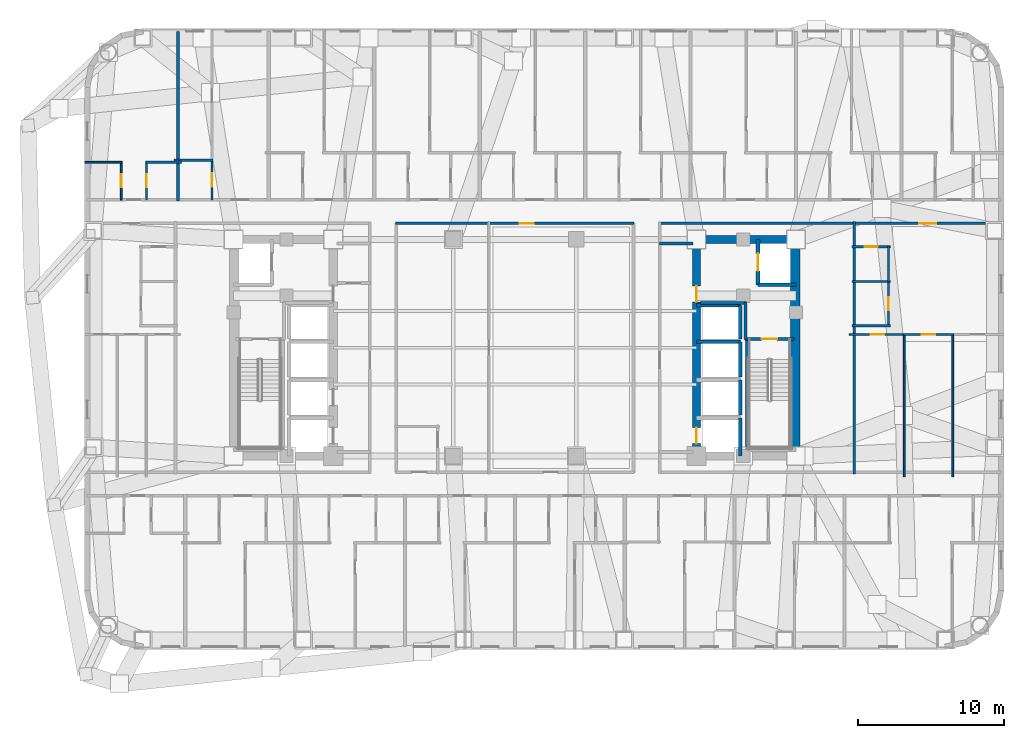
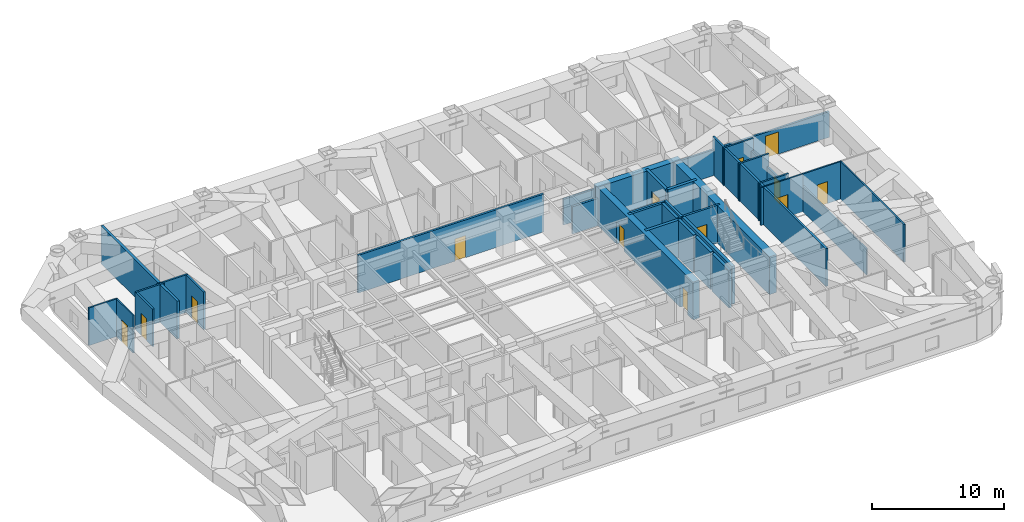
# One storey, part 8 of 14: 35 walls, 13 doors, 13 openings.
"""IFC4 building model written with IfcOpenShell, lengths in metres."""

from ifc_helpers import new_model, si_unit, direction, frame, frame_2d, origin, place, context, subcontext, project, spatial, rectangle, extrude, material, layer, layer_set, type_object, element, fill, save


model = new_model("IFC4")

# Units and contexts
model_context = context("Model", 3, precision=1e-05, world=origin(), true_north=direction((0.0, 1.0)))
body_context = subcontext(model_context, "Body", "Model", "MODEL_VIEW")
ifc_project = project(units=[si_unit("LENGTHUNIT", "METRE"), si_unit("AREAUNIT", "SQUARE_METRE"), si_unit("VOLUMEUNIT", "CUBIC_METRE"), si_unit("PLANEANGLEUNIT", "RADIAN"), si_unit("MASSUNIT", "GRAM", prefix="KILO")], contexts=[model_context])

# Site, building, storey
site_placement = place(None, origin())
site = spatial("IfcSite", under=ifc_project, at=site_placement, CompositionType="ELEMENT")
building_placement = place(site_placement, origin())
building = spatial("IfcBuilding", under=site, at=building_placement, Name="Voryun Gate Residences", CompositionType="ELEMENT")
storey_placement = place(building_placement, frame((0.0, 0.0, 136.5)))
storey = spatial("IfcBuildingStorey", under=building, at=storey_placement, Name="L33", CompositionType="ELEMENT", Elevation=136.5)

# Wall
ifc_material_1 = material(Name="Concrete C60/75", Category="concrete")
ifc_layer_1 = layer(ifc_material_1, 0.550048828125, Name="CW_CORE_550")
ifc_layer_set_1 = layer_set([ifc_layer_1], Name="Concrete C60/75")
wall_type_1 = type_object("IfcWallType", Name="CW_CORE_550", PredefinedType="SHEAR", material=ifc_layer_set_1)
wall_1_placement = place(storey_placement, frame((12.125, 7.39990234375, 0.0), z_axis=(0.0, 0.0, 1.0), x_axis=(1.0, 0.0, 0.0)))
element("IfcWall", 1, at=wall_1_placement, inside=storey, type_object=wall_type_1, Name="L33 Core shear wall CW-L33-EN", PredefinedType="SHEAR", context=body_context, shape_type="SweptSolid", body=[
    extrude(rectangle(XDim=7.35009765625, YDim=0.550048828125, at=frame_2d((3.675048828125, 0.0))), origin(), (0.0, 0.0, 1.0), 3.5),
])

# Wall, openings, doors
wall_2_placement = place(storey_placement, frame((12.39990234375, -7.39990234375, 0.0), z_axis=(0.0, 0.0, 1.0), x_axis=(0.0, 1.0, 0.0)))
wall_2 = element("IfcWall", 2, at=wall_2_placement, inside=storey, type_object=wall_type_1, Name="L33 Core shear wall CW-L33-EW", PredefinedType="SHEAR", context=body_context, shape_type="SweptSolid", body=[
    extrude(rectangle(XDim=14.7998046875, YDim=0.550048828125, at=frame_2d((7.39990234375, 0.0))), origin(), (0.0, 0.0, 1.0), 3.5),
])
opening_1_placement = place(wall_2_placement, frame((0.85009765625, 0.0, 0.0)))
opening_1 = element("IfcOpeningElement", 3, at=opening_1_placement, cuts=wall_2, Name="Opening LD2", PredefinedType="OPENING", context=body_context, shape_type="SweptSolid", body=[
    extrude(rectangle(XDim=1.10009765625, YDim=2.050048828125, at=frame_2d((0.550048828125, 1.02490234375))), frame((0.0, 0.284912109375, 0.0), z_axis=(0.0, -1.0, 0.0), x_axis=(1.0, 0.0, 0.0)), (0.0, 0.0, 1.0), 0.570068359375),
])
opening_2_placement = place(wall_2_placement, frame((10.530029296875, 0.0, 0.0)))
opening_2 = element("IfcOpeningElement", 4, at=opening_2_placement, cuts=wall_2, Name="Opening D-FD60-2", PredefinedType="OPENING", context=body_context, shape_type="SweptSolid", body=[
    extrude(rectangle(XDim=1.10009765625, YDim=2.050048828125, at=frame_2d((0.550048828125, 1.02490234375))), frame((0.0, 0.284912109375, 0.0), z_axis=(0.0, -1.0, 0.0), x_axis=(1.0, 0.0, 0.0)), (0.0, 0.0, 1.0), 0.570068359375),
])
ifc_material_2 = material(Name="Painted steel fire door", Category="steel")
door_type_1 = type_object("IfcDoorType", Name="DR_FD60_FFLOB_1100", OperationType="NOTDEFINED", PredefinedType="DOOR", material=ifc_material_2)
door_1_placement = place(opening_2_placement, origin())
door_1 = element("IfcDoor", 5, at=door_1_placement, inside=storey, type_object=door_type_1, Name="Door DR-L33-CLOB-E", OperationType="SINGLE_SWING_RIGHT", OverallHeight=2.050048828125, OverallWidth=1.10009765625, PredefinedType="DOOR", context=body_context, shape_type="SweptSolid", body=[
    extrude(rectangle(XDim=1.10009765625, YDim=2.050048828125, at=frame_2d((0.550048828125, 1.02490234375))), frame((0.0, 0.02490234375, 0.0), z_axis=(0.0, -1.0, 0.0), x_axis=(1.0, 0.0, 0.0)), (0.0, 0.0, 1.0), 0.050048828125),
])
fill(opening_2, door_1)
ifc_material_3 = material(Name="Anodised aluminium", Category="aluminium")
door_type_2 = type_object("IfcDoorType", Name="DR_LD_PASS_1100", OperationType="NOTDEFINED", PredefinedType="DOOR", material=ifc_material_3)
door_2_placement = place(opening_1_placement, origin())
door_2 = element("IfcDoor", 6, at=door_2_placement, inside=storey, type_object=door_type_2, Name="Lift EL-P3 sliding landing door L33", OperationType="SLIDING_TO_LEFT", OverallHeight=2.050048828125, OverallWidth=1.10009765625, PredefinedType="DOOR", context=body_context, shape_type="SweptSolid", body=[
    extrude(rectangle(XDim=1.10009765625, YDim=2.050048828125, at=frame_2d((0.550048828125, 1.02490234375))), frame((0.0, 0.02490234375, 0.0), z_axis=(0.0, -1.0, 0.0), x_axis=(1.0, 0.0, 0.0)), (0.0, 0.0, 1.0), 0.050048828125),
])
fill(opening_1, door_2)

# Wall
ifc_material_4 = material(Name="Concrete C60/75", Category="concrete")
ifc_layer_2 = layer(ifc_material_4, 0.64990234375, Name="CW_CORE_650")
ifc_layer_set_2 = layer_set([ifc_layer_2], Name="Concrete C60/75")
wall_type_2 = type_object("IfcWallType", Name="CW_CORE_650", PredefinedType="SHEAR", material=ifc_layer_set_2)
wall_3_placement = place(storey_placement, frame((19.14501953125, -7.39990234375, 0.0), z_axis=(0.0, 0.0, 1.0), x_axis=(0.0, 1.0, 0.0)))
element("IfcWall", 7, at=wall_3_placement, inside=storey, type_object=wall_type_2, Name="L33 Core shear wall CW-L33-EE", PredefinedType="SHEAR", context=body_context, shape_type="SweptSolid", body=[
    extrude(rectangle(XDim=14.7998046875, YDim=0.64990234375, at=frame_2d((7.39990234375, 0.0))), origin(), (0.0, 0.0, 1.0), 3.5),
])

# Wall, opening, door
ifc_material_5 = material(Name="Gypsum acoustic fireboard")
ifc_layer_3 = layer(ifc_material_5, 0.179931640625, Name="W_CORR_RATED_180")
ifc_layer_set_3 = layer_set([ifc_layer_3], Name="Gypsum acoustic fireboard")
wall_type_3 = type_object("IfcWallType", Name="W_CORR_RATED_180", PredefinedType="PARTITIONING", material=ifc_layer_set_3)
wall_4_placement = place(storey_placement, frame((15.699951171875, 0.60009765625, 0.0), z_axis=(0.0, 0.0, 1.0), x_axis=(1.0, 0.0, 0.0)))
wall_4 = element("IfcWall", 8, at=wall_4_placement, inside=storey, type_object=wall_type_3, Name="Partition wall WP-L33-STV-E", PredefinedType="PARTITIONING", context=body_context, shape_type="SweptSolid", body=[
    extrude(rectangle(XDim=3.360107421875, YDim=0.179931640625, at=frame_2d((1.68017578125, 0.0))), origin(), (0.0, 0.0, 1.0), 3.5),
])
opening_3_placement = place(wall_4_placement, frame((1.155029296875, 0.0, 0.0)))
opening_3 = element("IfcOpeningElement", 9, at=opening_3_placement, cuts=wall_4, Name="Opening D-FD60-1", PredefinedType="OPENING", context=body_context, shape_type="SweptSolid", body=[
    extrude(rectangle(XDim=1.050048828125, YDim=2.050048828125, at=frame_2d((0.52490234375, 1.02490234375))), frame((0.0, 0.099853515625, 0.0), z_axis=(0.0, -1.0, 0.0), x_axis=(1.0, 0.0, 0.0)), (0.0, 0.0, 1.0), 0.199951171875),
])
ifc_material_6 = material(Name="Painted steel fire door", Category="steel")
door_type_3 = type_object("IfcDoorType", Name="DR_FD60_STAIR_1050", OperationType="NOTDEFINED", PredefinedType="DOOR", material=ifc_material_6)
door_3_placement = place(opening_3_placement, origin())
door_3 = element("IfcDoor", 10, at=door_3_placement, inside=storey, type_object=door_type_3, Name="Door DR-L33-ST-E", OperationType="SINGLE_SWING_RIGHT", OverallHeight=2.050048828125, OverallWidth=1.050048828125, PredefinedType="DOOR", context=body_context, shape_type="SweptSolid", body=[
    extrude(rectangle(XDim=1.050048828125, YDim=2.050048828125, at=frame_2d((0.52490234375, 1.02490234375))), frame((0.0, 0.02490234375, 0.0), z_axis=(0.0, -1.0, 0.0), x_axis=(1.0, 0.0, 0.0)), (0.0, 0.0, 1.0), 0.050048828125),
])
fill(opening_3, door_3)

# Wall
wall_5_placement = place(storey_placement, frame((9.8798828125, 7.1201171875, 0.0), z_axis=(0.0, 0.0, 1.0), x_axis=(1.0, 0.0, 0.0)))
element("IfcWall", 11, at=wall_5_placement, inside=storey, type_object=wall_type_3, Name="Partition wall WP-L33-PLBN-E", PredefinedType="PARTITIONING", context=body_context, shape_type="SweptSolid", body=[
    extrude(rectangle(XDim=2.27001953125, YDim=0.179931640625, at=frame_2d((1.135009765625, 0.0))), origin(), (0.0, 0.0, 1.0), 2.5400390625),
])

# Wall, opening, door
wall_6_placement = place(storey_placement, frame((9.8798828125, 8.489990234375, 0.0), z_axis=(0.0, 0.0, 1.0), x_axis=(1.0, 0.0, 0.0)))
wall_6 = element("IfcWall", 12, at=wall_6_placement, inside=storey, type_object=wall_type_3, Name="Partition wall WP-L33-CWING-EN", PredefinedType="PARTITIONING", context=body_context, shape_type="SweptSolid", body=[
    extrude(rectangle(XDim=23.330078125, YDim=0.179931640625, at=frame_2d((11.6650390625, 0.0))), origin(), (0.0, 0.0, 1.0), 2.389892578125),
])
opening_4_placement = place(wall_6_placement, frame((17.739013671875, 0.0, 0.0)))
opening_4 = element("IfcOpeningElement", 13, at=opening_4_placement, cuts=wall_6, Name="Opening D-UNIT-1", PredefinedType="OPENING", context=body_context, shape_type="SweptSolid", body=[
    extrude(rectangle(XDim=1.14990234375, YDim=2.050048828125, at=frame_2d((0.574951171875, 1.02490234375))), frame((0.0, 0.099853515625, 0.0), z_axis=(0.0, -1.0, 0.0), x_axis=(1.0, 0.0, 0.0)), (0.0, 0.0, 1.0), 0.199951171875),
])
ifc_material_7 = material(Name="Armoured timber-clad fire door", Category="wood")
door_type_4 = type_object("IfcDoorType", Name="DR_UNIT_ENTRY_1150", OperationType="NOTDEFINED", PredefinedType="DOOR", material=ifc_material_7)
door_4_placement = place(opening_4_placement, origin())
door_4 = element("IfcDoor", 14, at=door_4_placement, inside=storey, type_object=door_type_4, Name="Door DR-L33-EE1N", OperationType="SINGLE_SWING_LEFT", OverallHeight=2.050048828125, OverallWidth=1.14990234375, PredefinedType="DOOR", context=body_context, shape_type="SweptSolid", body=[
    extrude(rectangle(XDim=1.14990234375, YDim=2.050048828125, at=frame_2d((0.574951171875, 1.02490234375))), frame((0.0, 0.02490234375, 0.0), z_axis=(0.0, -1.0, 0.0), x_axis=(1.0, 0.0, 0.0)), (0.0, 0.0, 1.0), 0.050048828125),
])
fill(opening_4, door_4)

wall_7_placement = place(storey_placement, frame((-8.14990234375, 8.489990234375, 0.0), z_axis=(0.0, 0.0, 1.0), x_axis=(1.0, 0.0, 0.0)))
wall_7 = element("IfcWall", 15, at=wall_7_placement, inside=storey, type_object=wall_type_3, Name="Partition wall WP-L33-Z1N", PredefinedType="PARTITIONING", context=body_context, shape_type="SweptSolid", body=[
    extrude(rectangle(XDim=16.2998046875, YDim=0.179931640625, at=frame_2d((8.14990234375, 0.0))), origin(), (0.0, 0.0, 1.0), 3.5),
])
opening_5_placement = place(wall_7_placement, frame((8.489990234375, 0.0, 0.0)))
opening_5 = element("IfcOpeningElement", 16, at=opening_5_placement, cuts=wall_7, Name="Opening D-INT-1", PredefinedType="OPENING", context=body_context, shape_type="SweptSolid", body=[
    extrude(rectangle(XDim=0.949951171875, YDim=2.050048828125, at=frame_2d((0.47509765625, 1.02490234375))), frame((0.0, 0.099853515625, 0.0), z_axis=(0.0, -1.0, 0.0), x_axis=(1.0, 0.0, 0.0)), (0.0, 0.0, 1.0), 0.199951171875),
])
ifc_material_8 = material(Name="Architectural oak veneer")
door_type_5 = type_object("IfcDoorType", Name="DR_INT_ROOM_950", OperationType="NOTDEFINED", PredefinedType="DOOR", material=ifc_material_8)
door_5_placement = place(opening_5_placement, origin())
door_5 = element("IfcDoor", 17, at=door_5_placement, inside=storey, type_object=door_type_5, Name="Door DR-L33-CMIDZ1N", OperationType="SINGLE_SWING_LEFT", OverallHeight=2.050048828125, OverallWidth=0.949951171875, PredefinedType="DOOR", context=body_context, shape_type="SweptSolid", body=[
    extrude(rectangle(XDim=0.949951171875, YDim=2.050048828125, at=frame_2d((0.47509765625, 1.02490234375))), frame((0.0, 0.02490234375, 0.0), z_axis=(0.0, -1.0, 0.0), x_axis=(1.0, 0.0, 0.0)), (0.0, 0.0, 1.0), 0.050048828125),
])
fill(opening_5, door_5)

# Walls
wall_8_placement = place(storey_placement, frame((23.169921875, -8.610107421875, 0.0), z_axis=(0.0, 0.0, 1.0), x_axis=(0.0, 1.0, 0.0)))
element("IfcWall", 18, at=wall_8_placement, inside=storey, type_object=wall_type_3, Name="Partition wall WP-L33-ECOR", PredefinedType="PARTITIONING", context=body_context, shape_type="SweptSolid", body=[
    extrude(rectangle(XDim=17.22021484375, YDim=0.179931640625, at=frame_2d((8.610107421875, 0.0))), origin(), (0.0, 0.0, 1.0), 3.5),
])
ifc_material_9 = material(Name="Concrete C40/50", Category="concrete")
ifc_layer_4 = layer(ifc_material_9, 0.199951171875, Name="W_FF_LOBBY_200")
ifc_layer_set_4 = layer_set([ifc_layer_4], Name="Concrete C40/50")
wall_type_4 = type_object("IfcWallType", Name="W_FF_LOBBY_200", PredefinedType="PARTITIONING", material=ifc_layer_set_4)
wall_9_placement = place(storey_placement, frame((15.760009765625, 0.580078125, 0.0), z_axis=(0.0, 0.0, 1.0), x_axis=(0.0, 1.0, 0.0)))
element("IfcWall", 19, at=wall_9_placement, inside=storey, type_object=wall_type_4, Name="Partition wall WP-L33-FFP0-E", PredefinedType="PARTITIONING", context=body_context, shape_type="SweptSolid", body=[
    extrude(rectangle(XDim=2.52001953125, YDim=0.199951171875, at=frame_2d((1.260009765625, 0.0))), origin(), (0.0, 0.0, 1.0), 3.5),
])
wall_10_placement = place(storey_placement, frame((12.659912109375, 3.06005859375, 0.0), z_axis=(0.0, 0.0, 1.0), x_axis=(1.0, 0.0, 0.0)))
element("IfcWall", 20, at=wall_10_placement, inside=storey, type_object=wall_type_4, Name="Partition wall WP-L33-FFPS-E", PredefinedType="PARTITIONING", context=body_context, shape_type="SweptSolid", body=[
    extrude(rectangle(XDim=3.16015625, YDim=0.199951171875, at=frame_2d((1.580078125, 0.0))), origin(), (0.0, 0.0, 1.0), 3.5),
])
ifc_material_10 = material(Name="Concrete C40/50", Category="concrete")
ifc_layer_5 = layer(ifc_material_10, 0.219970703125, Name="W_PARTY_ACOUSTIC_220")
ifc_layer_set_5 = layer_set([ifc_layer_5], Name="Concrete C40/50")
wall_type_5 = type_object("IfcWallType", Name="W_PARTY_ACOUSTIC_220", PredefinedType="PARTITIONING", material=ifc_layer_set_5)
wall_11_placement = place(storey_placement, frame((-23.009033203125, 10.02001953125, 0.0), z_axis=(0.0, 0.0, 1.0), x_axis=(0.0, 1.0, 0.0)))
element("IfcWall", 21, at=wall_11_placement, inside=storey, type_object=wall_type_5, Name="Partition wall WP-L33-NPTY-1", PredefinedType="PARTITIONING", context=body_context, shape_type="SweptSolid", body=[
    extrude(rectangle(XDim=11.590087890625, YDim=0.219970703125, at=frame_2d((5.794921875, 0.0))), origin(), (0.0, 0.0, 1.0), 3.5),
])
ifc_material_11 = material(Name="Concrete C50/60", Category="concrete")
ifc_layer_6 = layer(ifc_material_11, 0.25, Name="W_SHAFT_RC250")
ifc_layer_set_6 = layer_set([ifc_layer_6], Name="Concrete C50/60")
wall_type_6 = type_object("IfcWallType", Name="W_SHAFT_RC250", PredefinedType="SOLIDWALL", material=ifc_layer_set_6)
wall_12_placement = place(storey_placement, frame((15.860107421875, -7.0849609375, 0.0), z_axis=(0.0, 0.0, 1.0), x_axis=(0.0, 1.0, 0.0)))
element("IfcWall", 22, at=wall_12_placement, inside=storey, type_object=wall_type_6, Name="L33 Stair shaft structural wall E-STL", PredefinedType="SOLIDWALL", context=body_context, shape_type="SweptSolid", body=[
    extrude(rectangle(XDim=7.68505859375, YDim=0.25, at=frame_2d((3.842529296875, 0.0))), origin(), (0.0, 0.0, 1.0), 3.5),
])
wall_13_placement = place(storey_placement, frame((16.60009765625, 4.300048828125, 0.0), z_axis=(0.0, 0.0, 1.0), x_axis=(1.0, 0.0, 0.0)))
element("IfcWall", 23, at=wall_13_placement, inside=storey, type_object=wall_type_6, Name="Lift shaft wall WSH-L33-EL-FF-E1-S", PredefinedType="SOLIDWALL", context=body_context, shape_type="SweptSolid", body=[
    extrude(rectangle(XDim=2.599853515625, YDim=0.25, at=frame_2d((1.2998046875, 0.0))), origin(), (0.0, 0.0, 1.0), 3.5),
])

# Wall, opening, door
wall_14_placement = place(storey_placement, frame((16.60009765625, 7.39990234375, 0.0), z_axis=(0.0, 0.0, 1.0), x_axis=(0.0, -1.0, 0.0)))
wall_14 = element("IfcWall", 24, at=wall_14_placement, inside=storey, type_object=wall_type_6, Name="Lift shaft wall WSH-L33-EL-FF-E1-W", PredefinedType="SOLIDWALL", context=body_context, shape_type="SweptSolid", body=[
    extrude(rectangle(XDim=3.099853515625, YDim=0.25, at=frame_2d((1.5498046875, 0.0))), origin(), (0.0, 0.0, 1.0), 3.5),
])
opening_6_placement = place(wall_14_placement, frame((0.949951171875, 0.0, 0.0)))
opening_6 = element("IfcOpeningElement", 25, at=opening_6_placement, cuts=wall_14, Name="Opening LD1", PredefinedType="OPENING", context=body_context, shape_type="SweptSolid", body=[
    extrude(rectangle(XDim=1.199951171875, YDim=2.050048828125, at=frame_2d((0.60009765625, 1.02490234375))), frame((0.0, 0.135009765625, 0.0), z_axis=(0.0, -1.0, 0.0), x_axis=(1.0, 0.0, 0.0)), (0.0, 0.0, 1.0), 0.27001953125),
])
ifc_material_12 = material(Name="Anodised aluminium", Category="aluminium")
door_type_6 = type_object("IfcDoorType", Name="DR_LD_FF_1200", OperationType="NOTDEFINED", PredefinedType="DOOR", material=ifc_material_12)
door_6_placement = place(opening_6_placement, origin())
door_6 = element("IfcDoor", 26, at=door_6_placement, inside=storey, type_object=door_type_6, Name="Lift EL-FF-E1 sliding landing door L33", OperationType="SLIDING_TO_LEFT", OverallHeight=2.050048828125, OverallWidth=1.199951171875, PredefinedType="DOOR", context=body_context, shape_type="SweptSolid", body=[
    extrude(rectangle(XDim=1.199951171875, YDim=2.050048828125, at=frame_2d((0.60009765625, 1.02490234375))), frame((0.0, 0.02490234375, 0.0), z_axis=(0.0, -1.0, 0.0), x_axis=(1.0, 0.0, 0.0)), (0.0, 0.0, 1.0), 0.050048828125),
])
fill(opening_6, door_6)

# Walls
wall_15_placement = place(storey_placement, frame((15.39990234375, -7.39990234375, 0.0), z_axis=(0.0, 0.0, 1.0), x_axis=(0.0, 1.0, 0.0)))
element("IfcWall", 27, at=wall_15_placement, inside=storey, type_object=wall_type_6, Name="Lift shaft wall WSH-L33-EL-P3-E", PredefinedType="SOLIDWALL", context=body_context, shape_type="SweptSolid", body=[
    extrude(rectangle(XDim=2.599853515625, YDim=0.25, at=frame_2d((1.2998046875, 0.0))), origin(), (0.0, 0.0, 1.0), 3.5),
])
wall_16_placement = place(storey_placement, frame((15.39990234375, -4.60009765625, 0.0), z_axis=(0.0, 0.0, 1.0), x_axis=(0.0, 1.0, 0.0)))
element("IfcWall", 28, at=wall_16_placement, inside=storey, type_object=wall_type_6, Name="Lift shaft wall WSH-L33-EL-P5-E", PredefinedType="SOLIDWALL", context=body_context, shape_type="SweptSolid", body=[
    extrude(rectangle(XDim=2.400146484375, YDim=0.25, at=frame_2d((1.2001953125, 0.0))), origin(), (0.0, 0.0, 1.0), 3.5),
])
wall_17_placement = place(storey_placement, frame((15.39990234375, -2.0, 0.0), z_axis=(0.0, 0.0, 1.0), x_axis=(0.0, 1.0, 0.0)))
element("IfcWall", 29, at=wall_17_placement, inside=storey, type_object=wall_type_6, Name="Lift shaft wall WSH-L33-EL-P6-E", PredefinedType="SOLIDWALL", context=body_context, shape_type="SweptSolid", body=[
    extrude(rectangle(XDim=2.39990234375, YDim=0.25, at=frame_2d((1.199951171875, 0.0))), origin(), (0.0, 0.0, 1.0), 3.5),
])
wall_18_placement = place(storey_placement, frame((15.39990234375, 0.39990234375, 0.0), z_axis=(0.0, 0.0, 1.0), x_axis=(-1.0, 0.0, 0.0)))
element("IfcWall", 30, at=wall_18_placement, inside=storey, type_object=wall_type_6, Name="Lift shaft wall WSH-L33-EL-P6-N", PredefinedType="SOLIDWALL", context=body_context, shape_type="SweptSolid", body=[
    extrude(rectangle(XDim=3.0, YDim=0.25, at=frame_2d((1.5, 0.0))), origin(), (0.0, 0.0, 1.0), 3.5),
])
wall_19_placement = place(storey_placement, frame((15.39990234375, 0.60009765625, 0.0), z_axis=(0.0, 0.0, 1.0), x_axis=(0.0, 1.0, 0.0)))
element("IfcWall", 31, at=wall_19_placement, inside=storey, type_object=wall_type_6, Name="Lift shaft wall WSH-L33-EL-P8-E", PredefinedType="SOLIDWALL", context=body_context, shape_type="SweptSolid", body=[
    extrude(rectangle(XDim=2.2998046875, YDim=0.25, at=frame_2d((1.14990234375, 0.0))), origin(), (0.0, 0.0, 1.0), 3.5),
])
wall_20_placement = place(storey_placement, frame((15.39990234375, 2.89990234375, 0.0), z_axis=(0.0, 0.0, 1.0), x_axis=(-1.0, 0.0, 0.0)))
element("IfcWall", 32, at=wall_20_placement, inside=storey, type_object=wall_type_6, Name="Lift shaft wall WSH-L33-EL-P8-N", PredefinedType="SOLIDWALL", context=body_context, shape_type="SweptSolid", body=[
    extrude(rectangle(XDim=3.0, YDim=0.25, at=frame_2d((1.5, 0.0))), origin(), (0.0, 0.0, 1.0), 3.5),
])

# Wall, opening, door
ifc_material_13 = material(Name="Gypsum acoustic partition")
ifc_layer_7 = layer(ifc_material_13, 0.125, Name="W_UNIT_PART_125")
ifc_layer_set_7 = layer_set([ifc_layer_7], Name="Gypsum acoustic partition")
wall_type_7 = type_object("IfcWallType", Name="W_UNIT_PART_125", PredefinedType="PARTITIONING", material=ifc_layer_set_7)
wall_21_placement = place(storey_placement, frame((-26.881103515625, 10.080078125, 0.0), z_axis=(0.0, 0.0, 1.0), x_axis=(0.0, 1.0, 0.0)))
wall_21 = element("IfcWall", 33, at=wall_21_placement, inside=storey, type_object=wall_type_7, Name="Partition wall WP-L33-N1-CVK", PredefinedType="PARTITIONING", context=body_context, shape_type="SweptSolid", body=[
    extrude(rectangle(XDim=2.64990234375, YDim=0.125, at=frame_2d((1.324951171875, 0.0))), origin(), (0.0, 0.0, 1.0), 3.5),
])
opening_7_placement = place(wall_21_placement, frame((0.875, 0.0, 0.0)))
opening_7 = element("IfcOpeningElement", 34, at=opening_7_placement, cuts=wall_21, Name="Opening D-INT-2", PredefinedType="OPENING", context=body_context, shape_type="SweptSolid", body=[
    extrude(rectangle(XDim=0.89990234375, YDim=2.050048828125, at=frame_2d((0.449951171875, 1.02490234375))), frame((0.0, 0.072509765625, 0.0), z_axis=(0.0, -1.0, 0.0), x_axis=(1.0, 0.0, 0.0)), (0.0, 0.0, 1.0), 0.14501953125),
])
ifc_material_14 = material(Name="Architectural oak veneer")
door_type_7 = type_object("IfcDoorType", Name="DR_INT_BATH_900", OperationType="NOTDEFINED", PredefinedType="DOOR", material=ifc_material_14)
door_7_placement = place(opening_7_placement, origin())
door_7 = element("IfcDoor", 35, at=door_7_placement, inside=storey, type_object=door_type_7, Name="Door DR-L33-N1-DK", OperationType="SINGLE_SWING_LEFT", OverallHeight=2.050048828125, OverallWidth=0.89990234375, PredefinedType="DOOR", context=body_context, shape_type="SweptSolid", body=[
    extrude(rectangle(XDim=0.89990234375, YDim=2.050048828125, at=frame_2d((0.449951171875, 1.02490234375))), frame((0.0, 0.02490234375, 0.0), z_axis=(0.0, -1.0, 0.0), x_axis=(1.0, 0.0, 0.0)), (0.0, 0.0, 1.0), 0.050048828125),
])
fill(opening_7, door_7)

# Wall
wall_22_placement = place(storey_placement, frame((-29.360107421875, 12.669921875, 0.0), z_axis=(0.0, 0.0, 1.0), x_axis=(1.0, 0.0, 0.0)))
element("IfcWall", 36, at=wall_22_placement, inside=storey, type_object=wall_type_7, Name="Partition wall WP-L33-N1-CHK", PredefinedType="PARTITIONING", context=body_context, shape_type="SweptSolid", body=[
    extrude(rectangle(XDim=2.5390625, YDim=0.125, at=frame_2d((1.26953125, 0.0))), origin(), (0.0, 0.0, 1.0), 3.5),
])

# Wall, opening, door
wall_23_placement = place(storey_placement, frame((22.85009765625, 0.909912109375, 0.0), z_axis=(0.0, 0.0, 1.0), x_axis=(1.0, 0.0, 0.0)))
wall_23 = element("IfcWall", 37, at=wall_23_placement, inside=storey, type_object=wall_type_7, Name="Partition wall WP-L33-E1-HZMB1", PredefinedType="PARTITIONING", context=body_context, shape_type="SweptSolid", body=[
    extrude(rectangle(XDim=3.79833984375, YDim=0.125, at=frame_2d((1.899169921875, 0.0))), origin(), (0.0, 0.0, 1.0), 3.5),
])
opening_8_placement = place(wall_23_placement, frame((1.4580078125, 0.0, 0.0)))
opening_8 = element("IfcOpeningElement", 38, at=opening_8_placement, cuts=wall_23, Name="Opening D-INT-2", PredefinedType="OPENING", context=body_context, shape_type="SweptSolid", body=[
    extrude(rectangle(XDim=0.89990234375, YDim=2.050048828125, at=frame_2d((0.449951171875, 1.02490234375))), frame((0.0, 0.072509765625, 0.0), z_axis=(0.0, -1.0, 0.0), x_axis=(1.0, 0.0, 0.0)), (0.0, 0.0, 1.0), 0.14501953125),
])
door_8_placement = place(opening_8_placement, origin())
door_8 = element("IfcDoor", 39, at=door_8_placement, inside=storey, type_object=door_type_7, Name="Door DR-L33-E1-DMB", OperationType="SINGLE_SWING_LEFT", OverallHeight=2.050048828125, OverallWidth=0.89990234375, PredefinedType="DOOR", context=body_context, shape_type="SweptSolid", body=[
    extrude(rectangle(XDim=0.89990234375, YDim=2.050048828125, at=frame_2d((0.449951171875, 1.02490234375))), frame((0.0, 0.02490234375, 0.0), z_axis=(0.0, -1.0, 0.0), x_axis=(1.0, 0.0, 0.0)), (0.0, 0.0, 1.0), 0.050048828125),
])
fill(opening_8, door_8)

wall_24_placement = place(storey_placement, frame((26.5234375, 0.909912109375, 0.0), z_axis=(0.0, 0.0, 1.0), x_axis=(1.0, 0.0, 0.0)))
wall_24 = element("IfcWall", 40, at=wall_24_placement, inside=storey, type_object=wall_type_7, Name="Partition wall WP-L33-E1-HZMB2", PredefinedType="PARTITIONING", context=body_context, shape_type="SweptSolid", body=[
    extrude(rectangle(XDim=3.441162109375, YDim=0.125, at=frame_2d((1.720703125, 0.0))), origin(), (0.0, 0.0, 1.0), 3.5),
])
opening_9_placement = place(wall_24_placement, frame((1.2705078125, 0.0, 0.0)))
opening_9 = element("IfcOpeningElement", 41, at=opening_9_placement, cuts=wall_24, Name="Opening D-INT-2", PredefinedType="OPENING", context=body_context, shape_type="SweptSolid", body=[
    extrude(rectangle(XDim=0.89990234375, YDim=2.050048828125, at=frame_2d((0.449951171875, 1.02490234375))), frame((0.0, 0.072509765625, 0.0), z_axis=(0.0, -1.0, 0.0), x_axis=(1.0, 0.0, 0.0)), (0.0, 0.0, 1.0), 0.14501953125),
])
door_9_placement = place(opening_9_placement, origin())
door_9 = element("IfcDoor", 42, at=door_9_placement, inside=storey, type_object=door_type_7, Name="Door DR-L33-E1-DBD2", OperationType="SINGLE_SWING_RIGHT", OverallHeight=2.050048828125, OverallWidth=0.89990234375, PredefinedType="DOOR", context=body_context, shape_type="SweptSolid", body=[
    extrude(rectangle(XDim=0.89990234375, YDim=2.050048828125, at=frame_2d((0.449951171875, 1.02490234375))), frame((0.0, 0.02490234375, 0.0), z_axis=(0.0, -1.0, 0.0), x_axis=(1.0, 0.0, 0.0)), (0.0, 0.0, 1.0), 0.050048828125),
])
fill(opening_9, door_9)

# Walls
wall_25_placement = place(storey_placement, frame((29.902099609375, -8.81005859375, 0.0), z_axis=(0.0, 0.0, 1.0), x_axis=(0.0, 1.0, 0.0)))
element("IfcWall", 43, at=wall_25_placement, inside=storey, type_object=wall_type_7, Name="Partition wall WP-L33-E1-VMB2", PredefinedType="PARTITIONING", context=body_context, shape_type="SweptSolid", body=[
    extrude(rectangle(XDim=9.780029296875, YDim=0.125, at=frame_2d((4.89013671875, 0.0))), origin(), (0.0, 0.0, 1.0), 3.5),
])
wall_26_placement = place(storey_placement, frame((26.5859375, -8.81005859375, 0.0), z_axis=(0.0, 0.0, 1.0), x_axis=(0.0, 1.0, 0.0)))
element("IfcWall", 44, at=wall_26_placement, inside=storey, type_object=wall_type_7, Name="Partition wall WP-L33-E1-VMB", PredefinedType="PARTITIONING", context=body_context, shape_type="SweptSolid", body=[
    extrude(rectangle(XDim=9.780029296875, YDim=0.125, at=frame_2d((4.89013671875, 0.0))), origin(), (0.0, 0.0, 1.0), 2.389892578125),
])

# Wall, opening, door
ifc_material_15 = material(Name="Gypsum moisture-resistant partition")
ifc_layer_8 = layer(ifc_material_15, 0.14990234375, Name="W_WET_PLUMB_150")
ifc_layer_set_8 = layer_set([ifc_layer_8], Name="Gypsum moisture-resistant partition")
wall_type_8 = type_object("IfcWallType", Name="W_WET_PLUMB_150", PredefinedType="PLUMBINGWALL", material=ifc_layer_set_8)
wall_27_placement = place(storey_placement, frame((-25.159912109375, 10.080078125, 0.0), z_axis=(0.0, 0.0, 1.0), x_axis=(0.0, 1.0, 0.0)))
wall_27 = element("IfcWall", 45, at=wall_27_placement, inside=storey, type_object=wall_type_8, Name="Partition wall WP-L33-N1-CVB", PredefinedType="PLUMBINGWALL", context=body_context, shape_type="SweptSolid", body=[
    extrude(rectangle(XDim=2.64990234375, YDim=0.14990234375, at=frame_2d((1.324951171875, 0.0))), origin(), (0.0, 0.0, 1.0), 3.5),
])
opening_10_placement = place(wall_27_placement, frame((0.875, 0.0, 0.0)))
opening_10 = element("IfcOpeningElement", 46, at=opening_10_placement, cuts=wall_27, Name="Opening D-INT-2", PredefinedType="OPENING", context=body_context, shape_type="SweptSolid", body=[
    extrude(rectangle(XDim=0.89990234375, YDim=2.050048828125, at=frame_2d((0.449951171875, 1.02490234375))), frame((0.0, 0.0849609375, 0.0), z_axis=(0.0, -1.0, 0.0), x_axis=(1.0, 0.0, 0.0)), (0.0, 0.0, 1.0), 0.169921875),
])
door_10_placement = place(opening_10_placement, origin())
door_10 = element("IfcDoor", 47, at=door_10_placement, inside=storey, type_object=door_type_7, Name="Door DR-L33-N1-DB", OperationType="SINGLE_SWING_RIGHT", OverallHeight=2.050048828125, OverallWidth=0.89990234375, PredefinedType="DOOR", context=body_context, shape_type="SweptSolid", body=[
    extrude(rectangle(XDim=0.89990234375, YDim=2.050048828125, at=frame_2d((0.449951171875, 1.02490234375))), frame((0.0, 0.02490234375, 0.0), z_axis=(0.0, -1.0, 0.0), x_axis=(1.0, 0.0, 0.0)), (0.0, 0.0, 1.0), 0.050048828125),
])
fill(opening_10, door_10)

# Walls
wall_28_placement = place(storey_placement, frame((-25.219970703125, 12.669921875, 0.0), z_axis=(0.0, 0.0, 1.0), x_axis=(1.0, 0.0, 0.0)))
element("IfcWall", 48, at=wall_28_placement, inside=storey, type_object=wall_type_8, Name="Partition wall WP-L33-N1-CHB", PredefinedType="PLUMBINGWALL", context=body_context, shape_type="SweptSolid", body=[
    extrude(rectangle(XDim=2.470947265625, YDim=0.14990234375, at=frame_2d((1.2353515625, 0.0))), origin(), (0.0, 0.0, 1.0), 3.5),
])
wall_29_placement = place(storey_placement, frame((-23.26904296875, 12.800048828125, 0.0), z_axis=(0.0, 0.0, 1.0), x_axis=(1.0, 0.0, 0.0)))
element("IfcWall", 49, at=wall_29_placement, inside=storey, type_object=wall_type_8, Name="Partition wall WP-L33-N2-SKB", PredefinedType="PLUMBINGWALL", context=body_context, shape_type="SweptSolid", body=[
    extrude(rectangle(XDim=2.671142578125, YDim=0.14990234375, at=frame_2d((1.33544921875, 0.0))), origin(), (0.0, 0.0, 1.0), 3.5),
])

# Wall, opening, door
wall_30_placement = place(storey_placement, frame((-20.677978515625, 10.080078125, 0.0), z_axis=(0.0, 0.0, 1.0), x_axis=(0.0, 1.0, 0.0)))
wall_30 = element("IfcWall", 50, at=wall_30_placement, inside=storey, type_object=wall_type_8, Name="Partition wall WP-L33-N2-SVT1", PredefinedType="PLUMBINGWALL", context=body_context, shape_type="SweptSolid", body=[
    extrude(rectangle(XDim=2.760009765625, YDim=0.14990234375, at=frame_2d((1.3798828125, 0.0))), origin(), (0.0, 0.0, 1.0), 3.5),
])
opening_11_placement = place(wall_30_placement, frame((0.929931640625, 0.0, 0.0)))
opening_11 = element("IfcOpeningElement", 51, at=opening_11_placement, cuts=wall_30, Name="Opening D-INT-2", PredefinedType="OPENING", context=body_context, shape_type="SweptSolid", body=[
    extrude(rectangle(XDim=0.89990234375, YDim=2.050048828125, at=frame_2d((0.449951171875, 1.02490234375))), frame((0.0, 0.0849609375, 0.0), z_axis=(0.0, -1.0, 0.0), x_axis=(1.0, 0.0, 0.0)), (0.0, 0.0, 1.0), 0.169921875),
])
door_11_placement = place(opening_11_placement, origin())
door_11 = element("IfcDoor", 52, at=door_11_placement, inside=storey, type_object=door_type_7, Name="Door DR-L33-N2-DB", OperationType="SINGLE_SWING_LEFT", OverallHeight=2.050048828125, OverallWidth=0.89990234375, PredefinedType="DOOR", context=body_context, shape_type="SweptSolid", body=[
    extrude(rectangle(XDim=0.89990234375, YDim=2.050048828125, at=frame_2d((0.449951171875, 1.02490234375))), frame((0.0, 0.02490234375, 0.0), z_axis=(0.0, -1.0, 0.0), x_axis=(1.0, 0.0, 0.0)), (0.0, 0.0, 1.0), 0.050048828125),
])
fill(opening_11, door_11)

wall_31_placement = place(storey_placement, frame((23.02001953125, 6.89990234375, 0.0), z_axis=(0.0, 0.0, 1.0), x_axis=(1.0, 0.0, 0.0)))
wall_31 = element("IfcWall", 53, at=wall_31_placement, inside=storey, type_object=wall_type_8, Name="Partition wall WP-L33-E1-IBT", PredefinedType="PLUMBINGWALL", context=body_context, shape_type="SweptSolid", body=[
    extrude(rectangle(XDim=2.619873046875, YDim=0.14990234375, at=frame_2d((1.31005859375, 0.0))), origin(), (0.0, 0.0, 1.0), 3.5),
])
opening_12_placement = place(wall_31_placement, frame((0.860107421875, 0.0, 0.0)))
opening_12 = element("IfcOpeningElement", 54, at=opening_12_placement, cuts=wall_31, Name="Opening D-INT-2", PredefinedType="OPENING", context=body_context, shape_type="SweptSolid", body=[
    extrude(rectangle(XDim=0.89990234375, YDim=2.050048828125, at=frame_2d((0.449951171875, 1.02490234375))), frame((0.0, 0.0849609375, 0.0), z_axis=(0.0, -1.0, 0.0), x_axis=(1.0, 0.0, 0.0)), (0.0, 0.0, 1.0), 0.169921875),
])
door_12_placement = place(opening_12_placement, origin())
door_12 = element("IfcDoor", 55, at=door_12_placement, inside=storey, type_object=door_type_7, Name="Door DR-L33-E1-DK", OperationType="SINGLE_SWING_LEFT", OverallHeight=2.050048828125, OverallWidth=0.89990234375, PredefinedType="DOOR", context=body_context, shape_type="SweptSolid", body=[
    extrude(rectangle(XDim=0.89990234375, YDim=2.050048828125, at=frame_2d((0.449951171875, 1.02490234375))), frame((0.0, 0.02490234375, 0.0), z_axis=(0.0, -1.0, 0.0), x_axis=(1.0, 0.0, 0.0)), (0.0, 0.0, 1.0), 0.050048828125),
])
fill(opening_12, door_12)

# Walls
for number, where, z_axis, x_axis, name in (
    (56, (23.02001953125, 4.52001953125, 0.0), (0.0, 0.0, 1.0), (1.0, 0.0, 0.0), "Partition wall WP-L33-E1-IKB"),
    (57, (23.02001953125, 1.5, 0.0), (0.0, 0.0, 1.0), (1.0, 0.0, 0.0), "Partition wall WP-L33-E1-IBB"),
):
    element("IfcWall", number, at=place(storey_placement, frame(where, z_axis=z_axis, x_axis=x_axis)), inside=storey, type_object=wall_type_8, Name=name, PredefinedType="PLUMBINGWALL", context=body_context, shape_type="SweptSolid", body=[
        extrude(rectangle(XDim=2.619873046875, YDim=0.14990234375, at=frame_2d((1.31005859375, 0.0))), origin(), (0.0, 0.0, 1.0), 3.5),
    ])

# Wall, opening, door
wall_32_placement = place(storey_placement, frame((25.52001953125, 1.43994140625, 0.0), z_axis=(0.0, 0.0, 1.0), x_axis=(0.0, 1.0, 0.0)))
wall_32 = element("IfcWall", 58, at=wall_32_placement, inside=storey, type_object=wall_type_8, Name="Partition wall WP-L33-E1-VTSK1", PredefinedType="PLUMBINGWALL", context=body_context, shape_type="SweptSolid", body=[
    extrude(rectangle(XDim=3.1201171875, YDim=0.14990234375, at=frame_2d((1.56005859375, 0.0))), origin(), (0.0, 0.0, 1.0), 2.389892578125),
])
opening_13_placement = place(wall_32_placement, frame((1.110107421875, 0.0, 0.0)))
opening_13 = element("IfcOpeningElement", 59, at=opening_13_placement, cuts=wall_32, Name="Opening D-INT-2", PredefinedType="OPENING", context=body_context, shape_type="SweptSolid", body=[
    extrude(rectangle(XDim=0.89990234375, YDim=2.050048828125, at=frame_2d((0.449951171875, 1.02490234375))), frame((0.0, 0.0849609375, 0.0), z_axis=(0.0, -1.0, 0.0), x_axis=(1.0, 0.0, 0.0)), (0.0, 0.0, 1.0), 0.169921875),
])
door_13_placement = place(opening_13_placement, origin())
door_13 = element("IfcDoor", 60, at=door_13_placement, inside=storey, type_object=door_type_7, Name="Door DR-L33-E1-DB", OperationType="SINGLE_SWING_RIGHT", OverallHeight=2.050048828125, OverallWidth=0.89990234375, PredefinedType="DOOR", context=body_context, shape_type="SweptSolid", body=[
    extrude(rectangle(XDim=0.89990234375, YDim=2.050048828125, at=frame_2d((0.449951171875, 1.02490234375))), frame((0.0, 0.02490234375, 0.0), z_axis=(0.0, -1.0, 0.0), x_axis=(1.0, 0.0, 0.0)), (0.0, 0.0, 1.0), 0.050048828125),
])
fill(opening_13, door_13)

# Wall
wall_33_placement = place(storey_placement, frame((25.52001953125, 4.47998046875, 0.0), z_axis=(0.0, 0.0, 1.0), x_axis=(0.0, 1.0, 0.0)))
element("IfcWall", 61, at=wall_33_placement, inside=storey, type_object=wall_type_8, Name="Partition wall WP-L33-E1-VTSK2", PredefinedType="PLUMBINGWALL", context=body_context, shape_type="SweptSolid", body=[
    extrude(rectangle(XDim=2.47998046875, YDim=0.14990234375, at=frame_2d((1.239990234375, 0.0))), origin(), (0.0, 0.0, 1.0), 2.389892578125),
])

save(model, "model.ifc")
